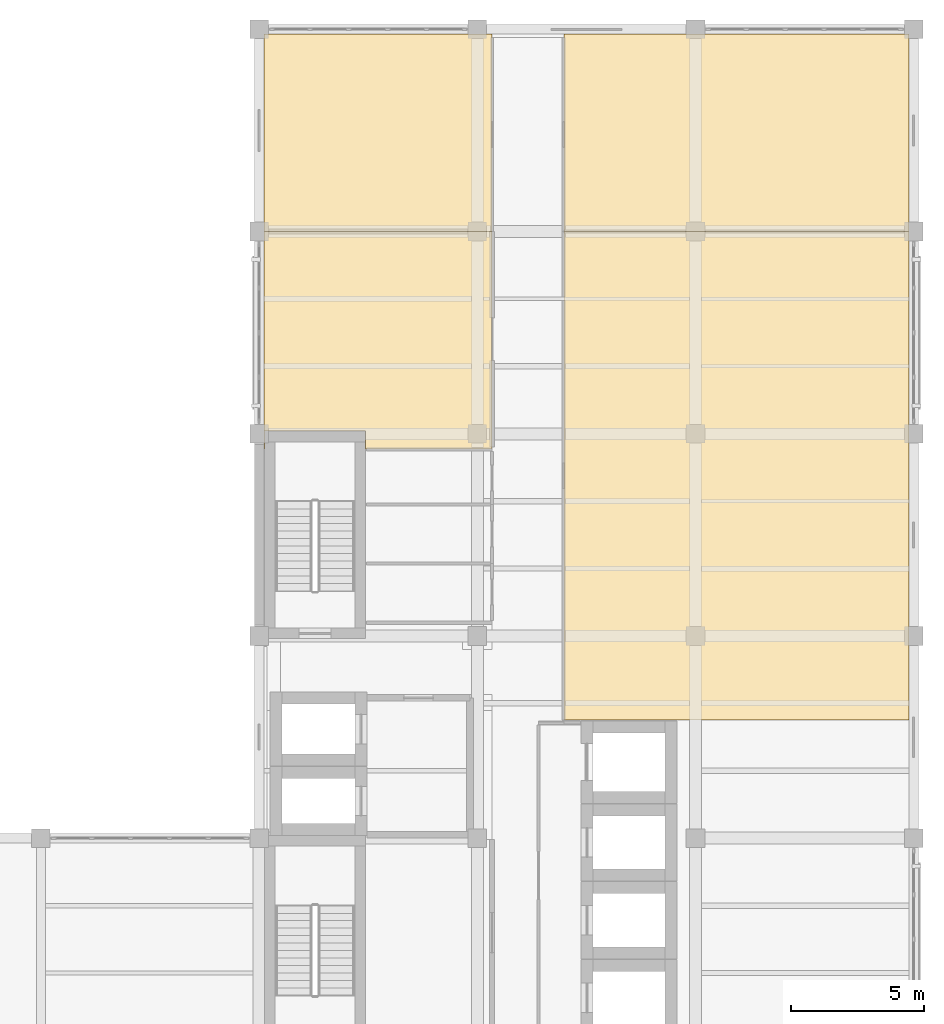
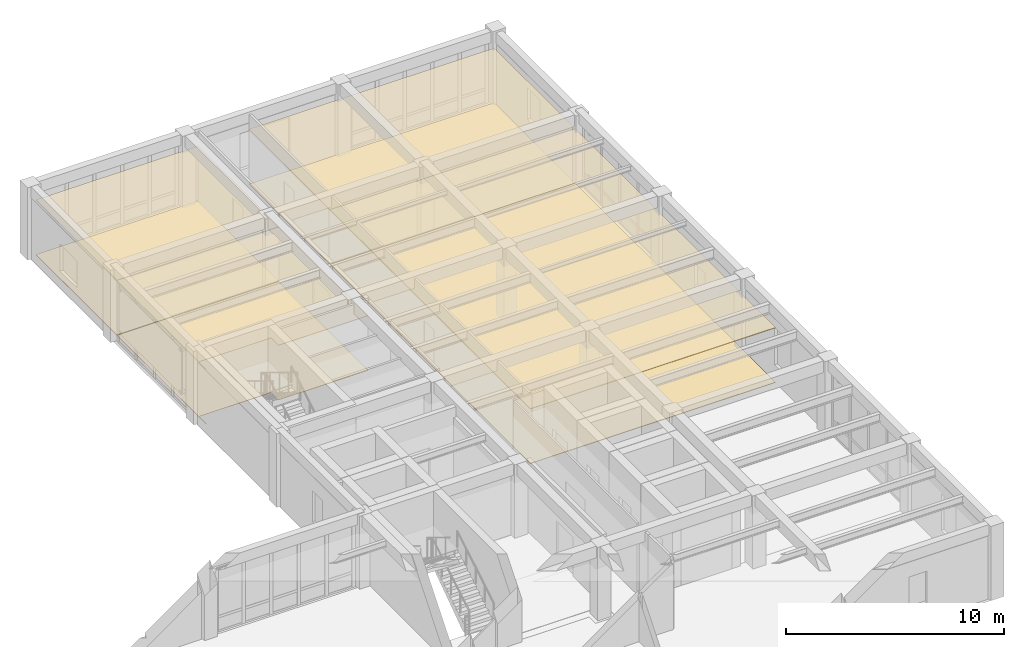
# One storey, part 13 of 13: 8 coverings.
"""IFC4 building model written with IfcOpenShell, lengths in metres."""

from ifc_helpers import new_model, si_unit, direction, frame, origin, place, context, subcontext, project, spatial, polyline, outline, extrude, material, layer, layer_set, type_object, element, save


model = new_model("IFC4")

# Units and contexts
model_context = context("Model", 3, precision=1e-05, world=origin(), true_north=direction((0.0, 1.0)))
body_context = subcontext(model_context, "Body", "Model", "MODEL_VIEW")
ifc_project = project(units=[si_unit("LENGTHUNIT", "METRE"), si_unit("AREAUNIT", "SQUARE_METRE"), si_unit("VOLUMEUNIT", "CUBIC_METRE"), si_unit("PLANEANGLEUNIT", "RADIAN"), si_unit("MASSUNIT", "GRAM", prefix="KILO")], contexts=[model_context])

# Site, building, storey
site_placement = place(None, origin())
site = spatial("IfcSite", under=ifc_project, at=site_placement, CompositionType="ELEMENT")
building_placement = place(site_placement, origin())
building = spatial("IfcBuilding", under=site, at=building_placement, Name="Qandaris Square Conservatory and Botanical Centre", CompositionType="ELEMENT")
storey_placement = place(building_placement, frame((0.0, 0.0, 61.800048828125)))
storey = spatial("IfcBuildingStorey", under=building, at=storey_placement, Name="L14", CompositionType="ELEMENT", Elevation=61.800048828125)

# Coverings
ifc_material_1 = material(Name="Honed Qatari Limestone", Category="masonry")
ifc_layer_1 = layer(ifc_material_1, 0.030029296875)
ifc_layer_set_1 = layer_set([ifc_layer_1], Name="Honed Qatari Limestone")
covering_type_1 = type_object("IfcCoveringType", Name="Honed Qatari Limestone Concourse Paving", PredefinedType="FLOORING", material=ifc_layer_set_1)
covering_1_placement = place(storey_placement, origin())
element("IfcCovering", 1, at=covering_1_placement, inside=storey, type_object=covering_type_1, Name="Botanical Policy Analytical Laboratory Flooring", PredefinedType="FLOORING", context=body_context, shape_type="SweptSolid", body=[
    extrude(outline(polyline([(150.64990234375, 54.60009765625), (163.6201171875, 54.60009765625), (163.6201171875, 36.25), (150.64990234375, 36.25), (150.64990234375, 54.60009765625)])), origin(), (0.0, 0.0, 1.0), 0.030029296875),
])
covering_2_placement = place(storey_placement, origin())
element("IfcCovering", 2, at=covering_2_placement, inside=storey, type_object=covering_type_1, Name="Directorate Collaborative Seminar Room Flooring", PredefinedType="FLOORING", context=body_context, shape_type="SweptSolid", body=[
    extrude(outline(polyline([(147.949951171875, 61.89990234375), (147.949951171875, 54.60009765625), (139.3798828125, 54.60009765625), (139.3798828125, 62.02001953125), (147.949951171875, 62.02001953125), (147.949951171875, 61.89990234375)])), origin(), (0.0, 0.0, 1.0), 0.030029296875),
])
covering_3_placement = place(storey_placement, origin())
element("IfcCovering", 3, at=covering_3_placement, inside=storey, type_object=covering_type_1, Name="Floor L14 Staff Write-Up Lounge Flooring", PredefinedType="FLOORING", context=body_context, shape_type="SweptSolid", body=[
    extrude(outline(polyline([(150.64990234375, 54.60009765625), (150.64990234375, 61.89990234375), (150.64990234375, 62.02001953125), (163.6201171875, 62.02001953125), (163.6201171875, 54.60009765625), (150.64990234375, 54.60009765625)])), origin(), (0.0, 0.0, 1.0), 0.030029296875),
])
ifc_material_2 = material(Name="Gypsum Plasterboard", Category="gypsum")
ifc_layer_2 = layer(ifc_material_2, 0.02490234375)
ifc_layer_set_2 = layer_set([ifc_layer_2], Name="Gypsum Plasterboard")
covering_type_2 = type_object("IfcCoveringType", Name="Perforated Acoustic Lab Ceiling Tile", PredefinedType="CEILING", material=ifc_layer_set_2)
covering_4_placement = place(storey_placement, frame((0.0, 0.0, 3.050048828125)))
element("IfcCovering", 4, at=covering_4_placement, inside=storey, type_object=covering_type_2, Name="International Herbarium Exchange Specimen Prep Room Ceiling", PredefinedType="CEILING", context=body_context, shape_type="SweptSolid", body=[
    extrude(outline(polyline([(147.949951171875, 46.419921875), (143.199951171875, 46.419921875), (143.199951171875, 47.10009765625), (139.39990234375, 47.10009765625), (139.39990234375, 46.419921875), (139.3798828125, 46.419921875), (139.3798828125, 54.60009765625), (147.949951171875, 54.60009765625), (147.949951171875, 46.419921875)])), origin(), (0.0, 0.0, 1.0), 0.02490234375),
])
ifc_material_3 = material(Name="Epoxy Resin Screed", Category="finish")
ifc_layer_3 = layer(ifc_material_3, 0.014892578125)
ifc_layer_set_3 = layer_set([ifc_layer_3], Name="Epoxy Resin Screed")
covering_type_3 = type_object("IfcCoveringType", Name="Seamless Epoxy Laboratory Flooring", PredefinedType="FLOORING", material=ifc_layer_set_3)
covering_5_placement = place(storey_placement, origin())
element("IfcCovering", 5, at=covering_5_placement, inside=storey, type_object=covering_type_3, Name="International Herbarium Exchange Specimen Prep Room Flooring", PredefinedType="FLOORING", context=body_context, shape_type="SweptSolid", body=[
    extrude(outline(polyline([(147.949951171875, 46.419921875), (143.199951171875, 46.419921875), (143.199951171875, 47.10009765625), (139.39990234375, 47.10009765625), (139.39990234375, 46.419921875), (139.3798828125, 46.419921875), (139.3798828125, 54.60009765625), (147.949951171875, 54.60009765625), (147.949951171875, 46.419921875)])), origin(), (0.0, 0.0, 1.0), 0.014892578125),
])
ifc_material_4 = material(Name="Engineered Oak Timber", Category="wood")
ifc_layer_4 = layer(ifc_material_4, 0.0400390625)
ifc_layer_set_4 = layer_set([ifc_layer_4], Name="Engineered Oak Timber")
covering_type_4 = type_object("IfcCoveringType", Name="Slatted Oak Acoustic Gallery Ceiling", PredefinedType="CEILING", material=ifc_layer_set_4)
covering_6_placement = place(storey_placement, frame((0.0, 0.0, 3.050048828125)))
element("IfcCovering", 6, at=covering_6_placement, inside=storey, type_object=covering_type_4, Name="Botanical Policy Analytical Laboratory Ceiling", PredefinedType="CEILING", context=body_context, shape_type="SweptSolid", body=[
    extrude(outline(polyline([(150.64990234375, 54.60009765625), (163.6201171875, 54.60009765625), (163.6201171875, 36.25), (150.64990234375, 36.25), (150.64990234375, 54.60009765625)])), origin(), (0.0, 0.0, 1.0), 0.039794921875),
])
covering_7_placement = place(storey_placement, frame((0.0, 0.0, 3.050048828125)))
element("IfcCovering", 7, at=covering_7_placement, inside=storey, type_object=covering_type_4, Name="Directorate Collaborative Seminar Room Ceiling", PredefinedType="CEILING", context=body_context, shape_type="SweptSolid", body=[
    extrude(outline(polyline([(147.949951171875, 61.89990234375), (147.949951171875, 54.60009765625), (139.3798828125, 54.60009765625), (139.3798828125, 62.02001953125), (147.949951171875, 62.02001953125), (147.949951171875, 61.89990234375)])), origin(), (0.0, 0.0, 1.0), 0.039794921875),
])
covering_8_placement = place(storey_placement, frame((0.0, 0.0, 3.050048828125)))
element("IfcCovering", 8, at=covering_8_placement, inside=storey, type_object=covering_type_4, Name="Floor L14 Staff Write-Up Lounge Ceiling", PredefinedType="CEILING", context=body_context, shape_type="SweptSolid", body=[
    extrude(outline(polyline([(150.64990234375, 54.60009765625), (150.64990234375, 61.89990234375), (150.64990234375, 62.02001953125), (163.6201171875, 62.02001953125), (163.6201171875, 54.60009765625), (150.64990234375, 54.60009765625)])), origin(), (0.0, 0.0, 1.0), 0.039794921875),
])

save(model, "model.ifc")
